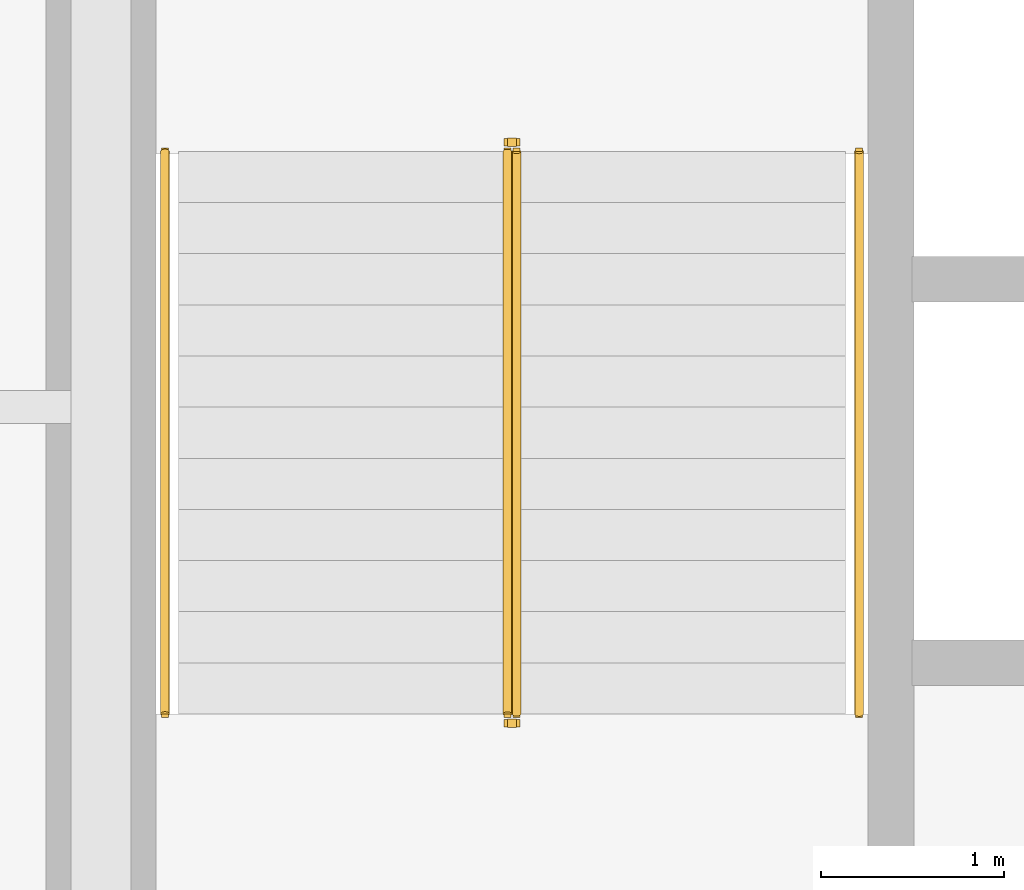
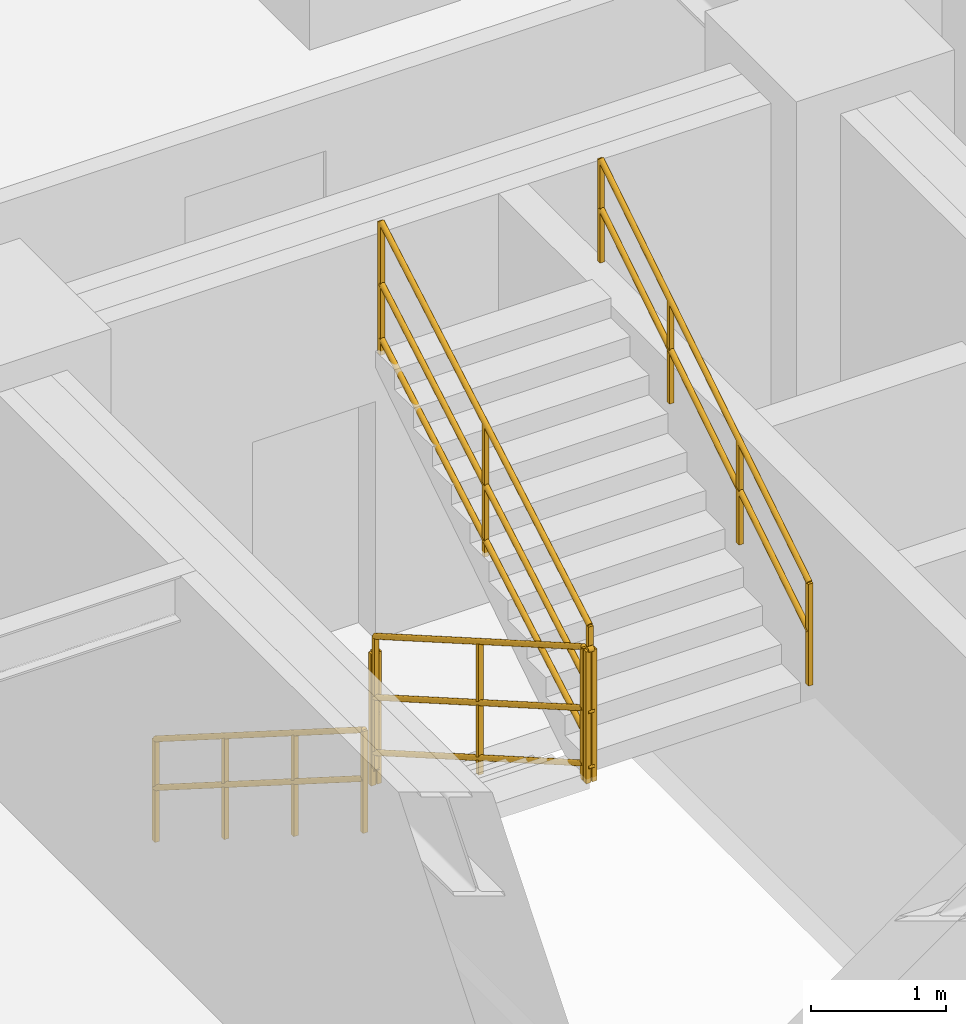
# One storey, part 10 of 10: 6 railings.
"""IFC4 building model written with IfcOpenShell, lengths in metres."""

from ifc_helpers import new_model, entity, si_unit, converted_unit, direction, frame, origin_with_axes, origin_2d_with_axis, place, context, subcontext, project, spatial, rectangle, circle, extrude, material, type_object, element, save


model = new_model("IFC4")

# Units and contexts
model_context = context("Model", 3, precision=1e-05, world=origin_with_axes(), true_north=direction((0.0, 1.0)))
body_context = subcontext(model_context, "Body", "Model", "MODEL_VIEW")
ifc_project = project(units=[si_unit("LENGTHUNIT", "METRE"), si_unit("AREAUNIT", "SQUARE_METRE"), si_unit("VOLUMEUNIT", "CUBIC_METRE"), converted_unit("PLANEANGLEUNIT", "DEGREE", entity("IfcPlaneAngleMeasure", 0.017453292519943295), si_unit("PLANEANGLEUNIT", "RADIAN"), dimensions=[0, 0, 0, 0, 0, 0, 0]), si_unit("MASSUNIT", "GRAM", prefix="KILO"), si_unit("THERMODYNAMICTEMPERATUREUNIT", "KELVIN")], contexts=[model_context])

# Site, building, storey
site_placement = place(None, origin_with_axes())
site = spatial("IfcSite", under=ifc_project, at=site_placement, CompositionType="ELEMENT")
building_placement = place(site_placement, origin_with_axes())
building = spatial("IfcBuilding", under=site, at=building_placement, Name="Varnlund Millrace Tower", CompositionType="ELEMENT")
storey_placement = place(building_placement, frame((0.0, 0.0, 48.3), z_axis=(0.0, 0.0, 1.0), x_axis=(1.0, 0.0, 0.0)))
storey = spatial("IfcBuildingStorey", under=building, at=storey_placement, Name="L11", CompositionType="ELEMENT", Elevation=48.3)

# Railings
ifc_material_1 = material(Name="Painted steel stair well balustrade guard", Category="steel")
railing_type_1 = type_object("IfcRailingType", Name="Type-StairGuard-1150", PredefinedType="GUARDRAIL", material=ifc_material_1)
railing_1_placement = place(storey_placement, frame((0.0, 0.0, -48.3), z_axis=(0.0, 0.0, 1.0), x_axis=(1.0, 0.0, 0.0)))
element("IfcRailing", 1, at=railing_1_placement, inside=storey, type_object=railing_type_1, Name="Type-StairGuard-1150", PredefinedType="GUARDRAIL", context=body_context, shape_type="SweptSolid", body=[
    extrude(circle(Radius=0.024, at=origin_2d_with_axis()), frame((13.625, 35.9, 49.627273), z_axis=(0.0, -0.866696, 0.498836), x_axis=(1.0, 0.0, 0.0)), (0.0, 0.0, 1.0), 3.553725),
    extrude(circle(Radius=0.024, at=origin_2d_with_axis()), frame((13.625, 35.9, 48.577273), z_axis=(0.0, -0.866696, 0.498836), x_axis=(1.0, 0.0, 0.0)), (0.0, 0.0, 1.0), 3.553725),
    extrude(circle(Radius=0.024, at=origin_2d_with_axis()), frame((13.625, 35.9, 49.075273), z_axis=(0.0, -0.866696, 0.498836), x_axis=(1.0, 0.0, 0.0)), (0.0, 0.0, 1.0), 3.553725),
    extrude(rectangle(XDim=0.04, YDim=0.04, at=origin_2d_with_axis()), frame((13.625, 35.9, 48.437273), z_axis=(0.0, 0.0, 1.0), x_axis=(1.0, 0.0, 0.0)), (0.0, 0.0, 1.0), 1.19),
    extrude(rectangle(XDim=0.04, YDim=0.04, at=origin_2d_with_axis()), frame((13.625, 34.36, 49.323636), z_axis=(0.0, 0.0, 1.0), x_axis=(1.0, 0.0, 0.0)), (0.0, 0.0, 1.0), 1.19),
    extrude(rectangle(XDim=0.04, YDim=0.04, at=origin_2d_with_axis()), frame((13.625, 32.82, 50.21), z_axis=(0.0, 0.0, 1.0), x_axis=(1.0, 0.0, 0.0)), (0.0, 0.0, 1.0), 1.19),
])
railing_2_placement = place(storey_placement, frame((0.0, 0.0, -48.3), z_axis=(0.0, 0.0, 1.0), x_axis=(1.0, 0.0, 0.0)))
element("IfcRailing", 2, at=railing_2_placement, inside=storey, type_object=railing_type_1, Name="Type-StairGuard-1150", PredefinedType="GUARDRAIL", context=body_context, shape_type="SweptSolid", body=[
    extrude(circle(Radius=0.024, at=origin_2d_with_axis()), frame((13.675, 32.77, 51.4), z_axis=(-1.0, 0.0, 0.0), x_axis=(0.0, -1.0, 0.0)), (0.0, 0.0, 1.0), 0.05),
    extrude(circle(Radius=0.024, at=origin_2d_with_axis()), frame((13.675, 32.77, 50.35), z_axis=(-1.0, 0.0, 0.0), x_axis=(0.0, -1.0, 0.0)), (0.0, 0.0, 1.0), 0.05),
    extrude(circle(Radius=0.024, at=origin_2d_with_axis()), frame((13.675, 32.77, 50.848), z_axis=(-1.0, 0.0, 0.0), x_axis=(0.0, -1.0, 0.0)), (0.0, 0.0, 1.0), 0.05),
    extrude(rectangle(XDim=0.04, YDim=0.04, at=origin_2d_with_axis()), frame((13.675, 32.77, 50.21), z_axis=(0.0, 0.0, 1.0), x_axis=(1.0, 0.0, 0.0)), (0.0, 0.0, 1.0), 1.19),
    extrude(rectangle(XDim=0.04, YDim=0.04, at=origin_2d_with_axis()), frame((13.625, 32.77, 50.21), z_axis=(0.0, 0.0, 1.0), x_axis=(1.0, 0.0, 0.0)), (0.0, 0.0, 1.0), 1.19),
])
railing_3_placement = place(storey_placement, frame((0.0, 0.0, -48.3), z_axis=(0.0, 0.0, 1.0), x_axis=(1.0, 0.0, 0.0)))
element("IfcRailing", 3, at=railing_3_placement, inside=storey, type_object=railing_type_1, Name="Type-StairGuard-1150", PredefinedType="GUARDRAIL", context=body_context, shape_type="SweptSolid", body=[
    extrude(circle(Radius=0.024, at=origin_2d_with_axis()), frame((13.675, 32.82, 51.577273), z_axis=(0.0, 0.866696, 0.498836), x_axis=(-1.0, 0.0, 0.0)), (0.0, 0.0, 1.0), 3.553725),
    extrude(circle(Radius=0.024, at=origin_2d_with_axis()), frame((13.675, 32.82, 50.527273), z_axis=(0.0, 0.866696, 0.498836), x_axis=(-1.0, 0.0, 0.0)), (0.0, 0.0, 1.0), 3.553725),
    extrude(circle(Radius=0.024, at=origin_2d_with_axis()), frame((13.675, 32.82, 51.025273), z_axis=(0.0, 0.866696, 0.498836), x_axis=(-1.0, 0.0, 0.0)), (0.0, 0.0, 1.0), 3.553725),
    extrude(rectangle(XDim=0.04, YDim=0.04, at=origin_2d_with_axis()), frame((13.675, 32.82, 50.387273), z_axis=(0.0, 0.0, 1.0), x_axis=(1.0, 0.0, 0.0)), (0.0, 0.0, 1.0), 1.19),
    extrude(rectangle(XDim=0.04, YDim=0.04, at=origin_2d_with_axis()), frame((13.675, 34.36, 51.273637), z_axis=(0.0, 0.0, 1.0), x_axis=(1.0, 0.0, 0.0)), (0.0, 0.0, 1.0), 1.19),
    extrude(rectangle(XDim=0.04, YDim=0.04, at=origin_2d_with_axis()), frame((13.675, 35.9, 52.16), z_axis=(0.0, 0.0, 1.0), x_axis=(1.0, 0.0, 0.0)), (0.0, 0.0, 1.0), 1.19),
])
railing_4_placement = place(storey_placement, frame((0.0, 0.0, -48.3), z_axis=(0.0, 0.0, 1.0), x_axis=(1.0, 0.0, 0.0)))
element("IfcRailing", 4, at=railing_4_placement, inside=storey, type_object=railing_type_1, Name="Type-StairGuard-1150", PredefinedType="GUARDRAIL", context=body_context, shape_type="SweptSolid", body=[
    extrude(circle(Radius=0.024, at=origin_2d_with_axis()), frame((13.675, 35.95, 49.45), z_axis=(-1.0, 0.0, 0.0), x_axis=(0.0, -1.0, 0.0)), (0.0, 0.0, 1.0), 0.05),
    extrude(circle(Radius=0.024, at=origin_2d_with_axis()), frame((13.675, 35.95, 48.4), z_axis=(-1.0, 0.0, 0.0), x_axis=(0.0, -1.0, 0.0)), (0.0, 0.0, 1.0), 0.05),
    extrude(circle(Radius=0.024, at=origin_2d_with_axis()), frame((13.675, 35.95, 48.898), z_axis=(-1.0, 0.0, 0.0), x_axis=(0.0, -1.0, 0.0)), (0.0, 0.0, 1.0), 0.05),
    extrude(rectangle(XDim=0.04, YDim=0.04, at=origin_2d_with_axis()), frame((13.675, 35.95, 48.26), z_axis=(0.0, 0.0, 1.0), x_axis=(1.0, 0.0, 0.0)), (0.0, 0.0, 1.0), 1.19),
    extrude(rectangle(XDim=0.04, YDim=0.04, at=origin_2d_with_axis()), frame((13.625, 35.95, 48.26), z_axis=(0.0, 0.0, 1.0), x_axis=(1.0, 0.0, 0.0)), (0.0, 0.0, 1.0), 1.19),
])
ifc_material_2 = material(Name="Brushed architectural bronze stair handrail", Category="aluminium")
railing_type_2 = type_object("IfcRailingType", Name="Type-StairHandrail-900", PredefinedType="HANDRAIL", material=ifc_material_2)
railing_5_placement = place(storey_placement, frame((0.0, 0.0, -48.3), z_axis=(0.0, 0.0, 1.0), x_axis=(1.0, 0.0, 0.0)))
element("IfcRailing", 5, at=railing_5_placement, inside=storey, type_object=railing_type_2, Name="Type-StairHandrail-900", PredefinedType="HANDRAIL", context=body_context, shape_type="SweptSolid", body=[
    extrude(circle(Radius=0.024, at=origin_2d_with_axis()), frame((11.75, 35.9, 49.356995), z_axis=(0.0, -0.844902, 0.534922), x_axis=(1.0, 0.0, 0.0)), (0.0, 0.0, 1.0), 3.645394),
    extrude(circle(Radius=0.024, at=origin_2d_with_axis()), frame((11.75, 35.9, 48.917134), z_axis=(0.0, -0.844902, 0.534922), x_axis=(1.0, 0.0, 0.0)), (0.0, 0.0, 1.0), 3.645394),
    extrude(rectangle(XDim=0.04, YDim=0.04, at=origin_2d_with_axis()), frame((11.75, 35.9, 48.437273), z_axis=(0.0, 0.0, 1.0), x_axis=(1.0, 0.0, 0.0)), (0.0, 0.0, 1.0), 0.919722),
    extrude(rectangle(XDim=0.04, YDim=0.04, at=origin_2d_with_axis()), frame((11.75, 34.873333, 49.087273), z_axis=(0.0, 0.0, 1.0), x_axis=(1.0, 0.0, 0.0)), (0.0, 0.0, 1.0), 0.919722),
    extrude(rectangle(XDim=0.04, YDim=0.04, at=origin_2d_with_axis()), frame((11.75, 33.846667, 49.737273), z_axis=(0.0, 0.0, 1.0), x_axis=(1.0, 0.0, 0.0)), (0.0, 0.0, 1.0), 0.919722),
    extrude(rectangle(XDim=0.04, YDim=0.04, at=origin_2d_with_axis()), frame((11.75, 32.82, 50.387273), z_axis=(0.0, 0.0, 1.0), x_axis=(1.0, 0.0, 0.0)), (0.0, 0.0, 1.0), 0.919722),
])
railing_6_placement = place(storey_placement, frame((0.0, 0.0, -48.3), z_axis=(0.0, 0.0, 1.0), x_axis=(1.0, 0.0, 0.0)))
element("IfcRailing", 6, at=railing_6_placement, inside=storey, type_object=railing_type_2, Name="Type-StairHandrail-900", PredefinedType="HANDRAIL", context=body_context, shape_type="SweptSolid", body=[
    extrude(circle(Radius=0.024, at=origin_2d_with_axis()), frame((15.55, 32.82, 51.306995), z_axis=(0.0, 0.844902, 0.534922), x_axis=(-1.0, 0.0, 0.0)), (0.0, 0.0, 1.0), 3.645394),
    extrude(circle(Radius=0.024, at=origin_2d_with_axis()), frame((15.55, 32.82, 50.867134), z_axis=(0.0, 0.844902, 0.534922), x_axis=(-1.0, 0.0, 0.0)), (0.0, 0.0, 1.0), 3.645394),
    extrude(rectangle(XDim=0.04, YDim=0.04, at=origin_2d_with_axis()), frame((15.55, 32.82, 50.387273), z_axis=(0.0, 0.0, 1.0), x_axis=(1.0, 0.0, 0.0)), (0.0, 0.0, 1.0), 0.919722),
    extrude(rectangle(XDim=0.04, YDim=0.04, at=origin_2d_with_axis()), frame((15.55, 33.846667, 51.037273), z_axis=(0.0, 0.0, 1.0), x_axis=(1.0, 0.0, 0.0)), (0.0, 0.0, 1.0), 0.919722),
    extrude(rectangle(XDim=0.04, YDim=0.04, at=origin_2d_with_axis()), frame((15.55, 34.873333, 51.687273), z_axis=(0.0, 0.0, 1.0), x_axis=(1.0, 0.0, 0.0)), (0.0, 0.0, 1.0), 0.919722),
    extrude(rectangle(XDim=0.04, YDim=0.04, at=origin_2d_with_axis()), frame((15.55, 35.9, 52.337273), z_axis=(0.0, 0.0, 1.0), x_axis=(1.0, 0.0, 0.0)), (0.0, 0.0, 1.0), 0.919722),
])

save(model, "model.ifc")
